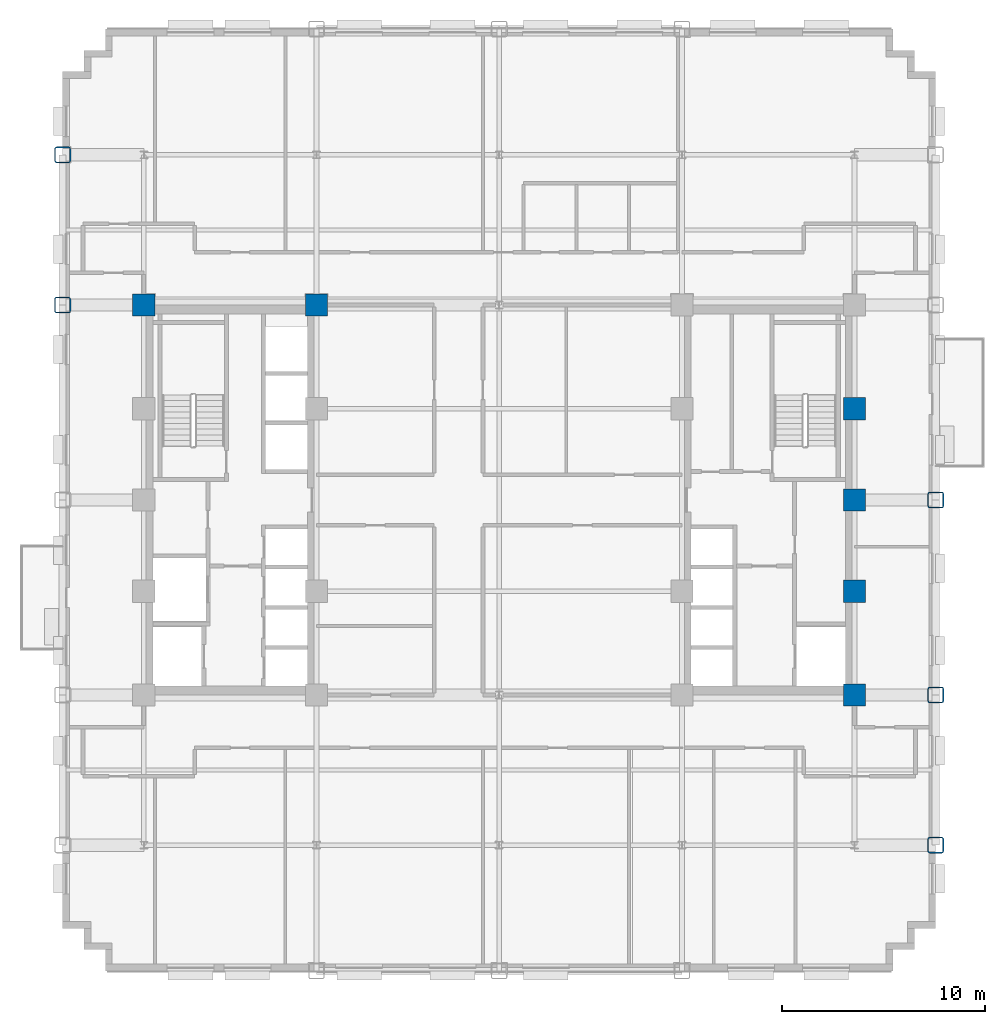
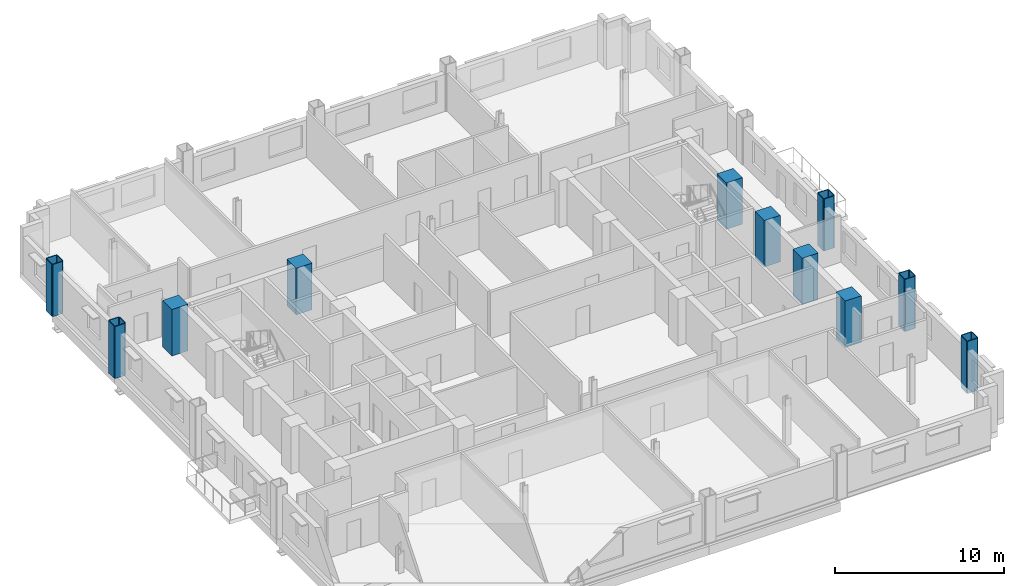
# One storey, part 2 of 14: 11 columns.
"""IFC4 building model written with IfcOpenShell, lengths in metres."""

from ifc_helpers import new_model, si_unit, direction, frame, origin, origin_2d, place, context, subcontext, project, spatial, rectangle, hollow_rectangle, extrude, material, material_profile, profile_set, type_object, element, save


model = new_model("IFC4")

# Units and contexts
model_context = context("Model", 3, precision=1e-05, world=origin(), true_north=direction((0.0, 1.0)))
body_context = subcontext(model_context, "Body", "Model", "MODEL_VIEW")
ifc_project = project(units=[si_unit("LENGTHUNIT", "METRE"), si_unit("AREAUNIT", "SQUARE_METRE"), si_unit("VOLUMEUNIT", "CUBIC_METRE"), si_unit("PLANEANGLEUNIT", "RADIAN"), si_unit("MASSUNIT", "GRAM", prefix="KILO")], contexts=[model_context])

# Site, building, storey
site_placement = place(None, origin())
site = spatial("IfcSite", under=ifc_project, at=site_placement, CompositionType="ELEMENT")
building_placement = place(site_placement, origin())
building = spatial("IfcBuilding", under=site, at=building_placement, Name="Nuvemarco Arch Tower", CompositionType="ELEMENT")
storey_placement = place(building_placement, frame((0.0, 0.0, 56.800048828125)))
storey = spatial("IfcBuildingStorey", under=building, at=storey_placement, Name="L14", CompositionType="ELEMENT", Elevation=56.800048828125)

# Columns
ifc_material_1 = material(Name="Concrete C60/75", Category="concrete")
ifc_material_profile_1 = material_profile(ifc_material_1, rectangle(XDim=1.10009765625, YDim=1.10009765625, at=origin_2d()), Name="RC-COL-1100x1100")
ifc_profile_set_1 = profile_set([ifc_material_profile_1], Name="Concrete C60/75")
column_type_1 = type_object("IfcColumnType", Name="COL-CORE-1100", PredefinedType="COLUMN", material=ifc_profile_set_1)
for number, where, z_axis, x_axis, name in (
    (1, (-17.5, 9.60009765625, 0.0), (0.0, 0.0, 1.0), (1.0, 0.0, 0.0), "L14 column CC_-17.5_+9.6"),
    (2, (-9.0, 9.60009765625, 0.0), (0.0, 0.0, 1.0), (1.0, 0.0, 0.0), "L14 column CC_-9.0_+9.6"),
    (3, (17.5, -9.60009765625, 0.0), (0.0, 0.0, 1.0), (1.0, 0.0, 0.0), "L14 column CC_+17.5_-9.6"),
    (4, (17.5, -4.5, 0.0), (0.0, 0.0, 1.0), (1.0, 0.0, 0.0), "L14 column CC_+17.5_-4.5"),
    (5, (17.5, 4.5, 0.0), (0.0, 0.0, 1.0), (1.0, 0.0, 0.0), "L14 column CC_+17.5_+4.5"),
    (6, (17.5, 0.0, 0.0), (0.0, 0.0, 1.0), (1.0, 0.0, 0.0), "L14 column CC_+17.5_+0.0"),
):
    element("IfcColumn", number, at=place(storey_placement, frame(where, z_axis=z_axis, x_axis=x_axis)), inside=storey, type_object=column_type_1, Name=name, PredefinedType="COLUMN", context=body_context, shape_type="SweptSolid", body=[
        extrude(rectangle(XDim=1.10009765625, YDim=1.10009765625, at=origin_2d()), origin(), (0.0, 0.0, 1.0), 3.369873046875),
    ])
ifc_material_2 = material(Name="Steel S460", Category="steel")
ifc_material_profile_2 = material_profile(ifc_material_2, hollow_rectangle(XDim=0.800048828125, YDim=0.800048828125, WallThickness=0.054931640625, InnerFilletRadius=0.054931640625, OuterFilletRadius=0.110107421875, at=origin_2d()), Name="SHS800x800x55")
ifc_profile_set_2 = profile_set([ifc_material_profile_2], Name="Steel S460")
column_type_2 = type_object("IfcColumnType", Name="COL-EXO-800", PredefinedType="COLUMN", material=ifc_profile_set_2)
for number, where, z_axis, x_axis, name in (
    (7, (-21.5, 9.60009765625, -0.400146484375), (0.0, 0.0, 1.0), (1.0, 0.0, 0.0), "L14 column CX_-21.5_+9.6"),
    (8, (-21.5, 17.0, -0.400146484375), (0.0, 0.0, 1.0), (1.0, 0.0, 0.0), "L14 column CX_-21.5_+17.0"),
    (9, (21.5, -17.0, -0.400146484375), (0.0, 0.0, 1.0), (1.0, 0.0, 0.0), "L14 column CX_+21.5_-17.0"),
    (10, (21.5, -9.60009765625, -0.400146484375), (0.0, 0.0, 1.0), (1.0, 0.0, 0.0), "L14 column CX_+21.5_-9.6"),
    (11, (21.5, 0.0, -0.400146484375), (0.0, 0.0, 1.0), (1.0, 0.0, 0.0), "L14 column CX_+21.5_+0.0"),
):
    element("IfcColumn", number, at=place(storey_placement, frame(where, z_axis=z_axis, x_axis=x_axis)), inside=storey, type_object=column_type_2, Name=name, PredefinedType="COLUMN", context=body_context, shape_type="SweptSolid", body=[
        extrude(hollow_rectangle(XDim=0.800048828125, YDim=0.800048828125, WallThickness=0.054931640625, InnerFilletRadius=0.054931640625, OuterFilletRadius=0.110107421875, at=origin_2d()), origin(), (0.0, 0.0, 1.0), 3.77001953125),
    ])

save(model, "model.ifc")
